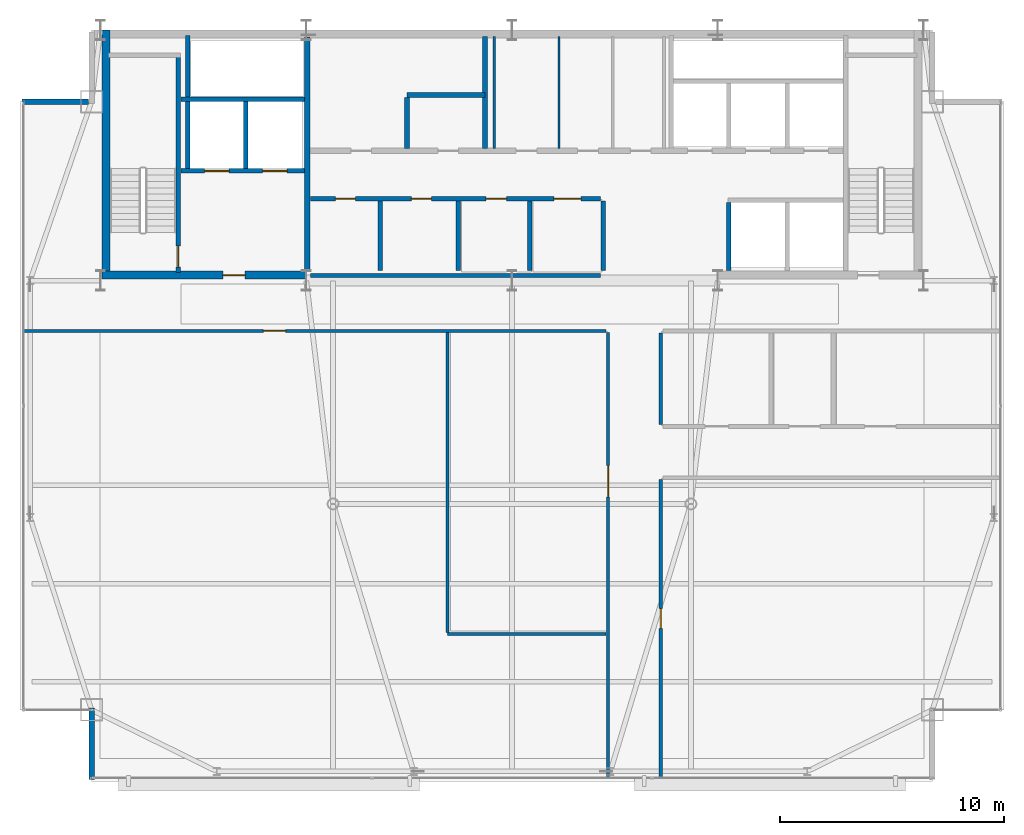
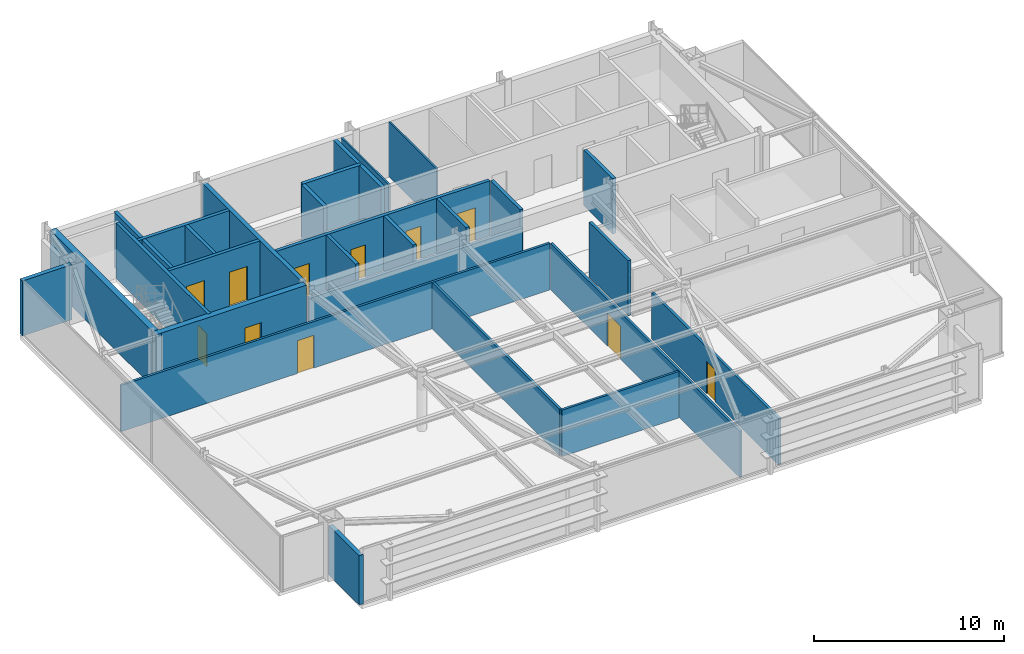
# One storey, part 21 of 24: 28 walls, 11 doors, 11 openings.
"""IFC4 building model written with IfcOpenShell, lengths in metres."""

from ifc_helpers import new_model, si_unit, direction, frame, frame_2d, origin, place, context, subcontext, project, spatial, rectangle, extrude, source, transform, mapped, material, layer, layer_set, type_object, type_shapes, element, fill, save


model = new_model("IFC4")

# Units and contexts
model_context = context("Model", 3, precision=1e-05, world=origin(), true_north=direction((0.0, 1.0)))
body_context = subcontext(model_context, "Body", "Model", "MODEL_VIEW")
ifc_project = project(units=[si_unit("LENGTHUNIT", "METRE"), si_unit("AREAUNIT", "SQUARE_METRE"), si_unit("VOLUMEUNIT", "CUBIC_METRE"), si_unit("PLANEANGLEUNIT", "RADIAN"), si_unit("MASSUNIT", "GRAM", prefix="KILO")], contexts=[model_context])

# Site, building, storey
site_placement = place(None, origin())
site = spatial("IfcSite", under=ifc_project, at=site_placement, CompositionType="ELEMENT")
building_placement = place(site_placement, origin())
building = spatial("IfcBuilding", under=site, at=building_placement, Name="Varnel Quay Broadcast Tower", CompositionType="ELEMENT")
storey_placement = place(building_placement, frame((0.0, 0.0, 269.800048828125)))
storey = spatial("IfcBuildingStorey", under=building, at=storey_placement, Name="L67", CompositionType="ELEMENT", Elevation=269.800048828125)

# Wall, opening, door
ifc_material_1 = material(Name="Concrete CSA A23.3 C50/60", Category="concrete")
ifc_layer_1 = layer(ifc_material_1, 0.199951171875, Name="Concrete CSA A23.3 C50/60")
ifc_layer_set_1 = layer_set([ifc_layer_1], Name="Concrete CSA A23.3 C50/60")
wall_type_1 = type_object("IfcWallType", Name="Wall_CoreShaftShear200", PredefinedType="SHEAR", material=ifc_layer_set_1)
wall_1_placement = place(storey_placement, frame((19.080078125, 35.949951171875, 0.0), z_axis=(0.0, 0.0, 1.0), x_axis=(0.0, 1.0, 0.0)))
wall_1 = element("IfcWall", 1, at=wall_1_placement, inside=storey, type_object=wall_type_1, Name="L67 Stair 1 East Structural Wall", PredefinedType="SHEAR", context=body_context, shape_type="SweptSolid", body=[
    extrude(rectangle(XDim=9.650146484375, YDim=0.199951171875, at=frame_2d((4.8251953125, 0.0))), origin(), (0.0, 0.0, 1.0), 3.550048828125),
])
opening_1_placement = place(wall_1_placement, frame((0.25, 0.0, 0.0)))
opening_1 = element("IfcOpeningElement", 2, at=opening_1_placement, cuts=wall_1, Name="Opening D-L67-S1", PredefinedType="OPENING", context=body_context, shape_type="SweptSolid", body=[
    extrude(rectangle(XDim=0.949951171875, YDim=2.10009765625, at=frame_2d((0.47509765625, 1.050048828125))), frame((0.0, 0.10986328125, 0.0), z_axis=(0.0, -1.0, 0.0), x_axis=(1.0, 0.0, 0.0)), (0.0, 0.0, 1.0), 0.219970703125),
])
ifc_material_2 = material(Name="Insulated Fire-Rated Hollow Steel Door", Category="steel")
door_type_1 = type_object("IfcDoorType", Name="Door_FireStair950", OperationType="NOTDEFINED", PredefinedType="DOOR", material=ifc_material_2)
shared_shape_1 = source(origin(), body_context, "Body", "SweptSolid", [
    extrude(rectangle(XDim=0.949951171875, YDim=2.10009765625, at=frame_2d((0.47509765625, 1.050048828125))), frame((0.0, 0.02490234375, 0.0), z_axis=(0.0, -1.0, 0.0), x_axis=(1.0, 0.0, 0.0)), (0.0, 0.0, 1.0), 0.050048828125),
])
type_shapes(door_type_1, [shared_shape_1])
door_1_placement = place(opening_1_placement, origin())
door_1 = element("IfcDoor", 3, at=door_1_placement, inside=storey, type_object=door_type_1, Name="L67 Stair 1 Fire Door", OperationType="SINGLE_SWING_RIGHT", OverallHeight=2.10009765625, OverallWidth=0.949951171875, PredefinedType="DOOR", context=body_context, shape_type="MappedRepresentation", body=[
    mapped(shared_shape_1, transform((0.0, 0.0, 0.0), x_axis=(1.0, 0.0, 0.0), y_axis=(0.0, 1.0, 0.0), z_axis=(0.0, 0.0, 1.0), scale=1.0)),
])
fill(opening_1, door_1)

# Wall, openings, doors
wall_2_placement = place(storey_placement, frame((19.199951171875, 40.5, 0.0), z_axis=(0.0, 0.0, 1.0), x_axis=(1.0, 0.0, 0.0)))
wall_2 = element("IfcWall", 4, at=wall_2_placement, inside=storey, type_object=wall_type_1, Name="L67 Firefighter Lift Shaft Front Wall", PredefinedType="SHEAR", context=body_context, shape_type="SweptSolid", body=[
    extrude(rectangle(XDim=5.52001953125, YDim=0.199951171875, at=frame_2d((2.760009765625, 0.0))), origin(), (0.0, 0.0, 1.0), 3.550048828125),
])
opening_2_placement = place(wall_2_placement, frame((1.050048828125, 0.0, 0.0)))
opening_2 = element("IfcOpeningElement", 5, at=opening_2_placement, cuts=wall_2, Name="Opening LD-L67-FE1", PredefinedType="OPENING", context=body_context, shape_type="SweptSolid", body=[
    extrude(rectangle(XDim=1.10009765625, YDim=2.179931640625, at=frame_2d((0.550048828125, 1.08984375))), frame((0.0, 0.10986328125, 0.0), z_axis=(0.0, -1.0, 0.0), x_axis=(1.0, 0.0, 0.0)), (0.0, 0.0, 1.0), 0.219970703125),
])
opening_3_placement = place(wall_2_placement, frame((3.64990234375, 0.0, 0.0)))
opening_3 = element("IfcOpeningElement", 6, at=opening_3_placement, cuts=wall_2, Name="Opening LD-L67-FE2", PredefinedType="OPENING", context=body_context, shape_type="SweptSolid", body=[
    extrude(rectangle(XDim=1.10009765625, YDim=2.179931640625, at=frame_2d((0.550048828125, 1.08984375))), frame((0.0, 0.10986328125, 0.0), z_axis=(0.0, -1.0, 0.0), x_axis=(1.0, 0.0, 0.0)), (0.0, 0.0, 1.0), 0.219970703125),
])
ifc_material_3 = material(Name="Brushed Bronze-Stainless Lift Car & Sliding Doors", Category="steel")
door_type_2 = type_object("IfcDoorType", Name="Door_LiftLanding1100", OperationType="SLIDING_TO_LEFT", PredefinedType="DOOR", material=ifc_material_3)
shared_shape_2 = source(origin(), body_context, "Body", "SweptSolid", [
    extrude(rectangle(XDim=1.10009765625, YDim=2.179931640625, at=frame_2d((0.550048828125, 1.08984375))), frame((0.0, 0.02490234375, 0.0), z_axis=(0.0, -1.0, 0.0), x_axis=(1.0, 0.0, 0.0)), (0.0, 0.0, 1.0), 0.050048828125),
])
type_shapes(door_type_2, [shared_shape_2])
door_2_placement = place(opening_2_placement, frame((1.10009765625, 0.0, 0.0), z_axis=(0.0, 0.0, 1.0), x_axis=(-1.0, 0.0, 0.0)))
door_2 = element("IfcDoor", 7, at=door_2_placement, inside=storey, type_object=door_type_2, Name="L67 Firefighter Lift FE-01 Landing Door", OperationType="SLIDING_TO_LEFT", OverallHeight=2.179931640625, OverallWidth=1.10009765625, PredefinedType="DOOR", context=body_context, shape_type="MappedRepresentation", body=[
    mapped(shared_shape_2, transform((0.0, 0.0, 0.0), x_axis=(1.0, 0.0, 0.0), y_axis=(0.0, 1.0, 0.0), z_axis=(0.0, 0.0, 1.0), scale=1.0)),
])
fill(opening_2, door_2)
door_3_placement = place(opening_3_placement, frame((1.10009765625, 0.0, 0.0), z_axis=(0.0, 0.0, 1.0), x_axis=(-1.0, 0.0, 0.0)))
door_3 = element("IfcDoor", 8, at=door_3_placement, inside=storey, type_object=door_type_2, Name="L67 Firefighter Lift FE-02 Landing Door", OperationType="SLIDING_TO_RIGHT", OverallHeight=2.179931640625, OverallWidth=1.10009765625, PredefinedType="DOOR", context=body_context, shape_type="MappedRepresentation", body=[
    mapped(shared_shape_2, transform((0.0, 0.0, 0.0), x_axis=(1.0, 0.0, 0.0), y_axis=(0.0, 1.0, 0.0), z_axis=(0.0, 0.0, 1.0), scale=1.0)),
])
fill(opening_3, door_3)

# Walls
wall_3_placement = place(storey_placement, frame((19.199951171875, 43.699951171875, 0.0), z_axis=(0.0, 0.0, 1.0), x_axis=(1.0, 0.0, 0.0)))
element("IfcWall", 9, at=wall_3_placement, inside=storey, type_object=wall_type_1, Name="L67 Firefighter Lift Shaft Rear Wall", PredefinedType="SHEAR", context=body_context, shape_type="SweptSolid", body=[
    extrude(rectangle(XDim=5.52001953125, YDim=0.199951171875, at=frame_2d((2.760009765625, 0.0))), origin(), (0.0, 0.0, 1.0), 3.550048828125),
])
wall_4_placement = place(storey_placement, frame((22.10009765625, 40.60009765625, 0.0), z_axis=(0.0, 0.0, 1.0), x_axis=(0.0, 1.0, 0.0)))
element("IfcWall", 10, at=wall_4_placement, inside=storey, type_object=wall_type_1, Name="L67 Firefighter Lift Shaft Divider", PredefinedType="SHEAR", context=body_context, shape_type="SweptSolid", body=[
    extrude(rectangle(XDim=3.0, YDim=0.199951171875, at=frame_2d((1.5, 0.0))), origin(), (0.0, 0.0, 1.0), 3.550048828125),
])
wall_5_placement = place(storey_placement, frame((19.5, 40.60009765625, 0.0), z_axis=(0.0, 0.0, 1.0), x_axis=(0.0, 1.0, 0.0)))
element("IfcWall", 11, at=wall_5_placement, inside=storey, type_object=wall_type_1, Name="L67 Firefighter Lift Shaft West Wall", PredefinedType="SHEAR", context=body_context, shape_type="SweptSolid", body=[
    extrude(rectangle(XDim=5.949951171875, YDim=0.199951171875, at=frame_2d((2.97509765625, 0.0))), origin(), (0.0, 0.0, 1.0), 3.550048828125),
])
wall_6_placement = place(storey_placement, frame((43.699951171875, 36.050048828125, 0.0), z_axis=(0.0, 0.0, 1.0), x_axis=(0.0, 1.0, 0.0)))
element("IfcWall", 12, at=wall_6_placement, inside=storey, type_object=wall_type_1, Name="L67 Express Lift Shaft West Wall", PredefinedType="SHEAR", context=body_context, shape_type="SweptSolid", body=[
    extrude(rectangle(XDim=3.050048828125, YDim=0.199951171875, at=frame_2d((1.52490234375, 0.0))), origin(), (0.0, 0.0, 1.0), 3.550048828125),
])
ifc_layer_2 = layer(ifc_material_1, 0.25, Name="Concrete CSA A23.3 C50/60")
ifc_layer_set_2 = layer_set([ifc_layer_2], Name="Concrete CSA A23.3 C50/60")
wall_type_2 = type_object("IfcWallType", Name="Wall_CoreShaftShear250", PredefinedType="SHEAR", material=ifc_layer_set_2)
wall_7_placement = place(storey_placement, frame((24.85009765625, 36.050048828125, 0.0), z_axis=(0.0, 0.0, 1.0), x_axis=(0.0, 1.0, 0.0)))
element("IfcWall", 13, at=wall_7_placement, inside=storey, type_object=wall_type_2, Name="L67 Firefighting Lobby East Structural Wall", PredefinedType="SHEAR", context=body_context, shape_type="SweptSolid", body=[
    extrude(rectangle(XDim=10.449951171875, YDim=0.25, at=frame_2d((5.22509765625, 0.0))), origin(), (0.0, 0.0, 1.0), 3.550048828125),
])
ifc_layer_3 = layer(ifc_material_1, 0.35009765625, Name="Concrete CSA A23.3 C50/60")
ifc_layer_set_3 = layer_set([ifc_layer_3], Name="Concrete CSA A23.3 C50/60")
wall_type_3 = type_object("IfcWallType", Name="Wall_CoreShearInt350", PredefinedType="SHEAR", material=ifc_layer_set_3)
wall_8_placement = place(storey_placement, frame((15.844970703125, 35.669921875, 0.0), z_axis=(0.0, 0.0, 1.0), x_axis=(0.0, 1.0, 0.0)))
element("IfcWall", 14, at=wall_8_placement, inside=storey, type_object=wall_type_3, Name="L67 West Core Shear Wall", PredefinedType="SHEAR", context=body_context, shape_type="SweptSolid", body=[
    extrude(rectangle(XDim=11.130126953125, YDim=0.35009765625, at=frame_2d((5.56494140625, 0.0))), origin(), (0.0, 0.0, 1.0), 3.550048828125),
])

# Wall, opening, door
wall_9_placement = place(storey_placement, frame((15.669921875, 35.844970703125, 0.0), z_axis=(0.0, 0.0, 1.0), x_axis=(1.0, 0.0, 0.0)))
wall_9 = element("IfcWall", 15, at=wall_9_placement, inside=storey, type_object=wall_type_3, Name="L67 South-West Core Shear Wall", PredefinedType="SHEAR", context=body_context, shape_type="SweptSolid", body=[
    extrude(rectangle(XDim=9.130126953125, YDim=0.35009765625, at=frame_2d((4.56494140625, 0.0))), origin(), (0.0, 0.0, 1.0), 3.550048828125),
])
opening_4_placement = place(wall_9_placement, frame((5.39990234375, 0.0, 0.0)))
opening_4 = element("IfcOpeningElement", 16, at=opening_4_placement, cuts=wall_9, Name="Opening D-L67-FFL", PredefinedType="OPENING", context=body_context, shape_type="SweptSolid", body=[
    extrude(rectangle(XDim=1.0, YDim=2.10009765625, at=frame_2d((0.5, 1.050048828125))), frame((0.0, 0.18505859375, 0.0), z_axis=(0.0, -1.0, 0.0), x_axis=(1.0, 0.0, 0.0)), (0.0, 0.0, 1.0), 0.3701171875),
])
door_type_3 = type_object("IfcDoorType", Name="Door_FireLobby1000", OperationType="NOTDEFINED", PredefinedType="DOOR", material=ifc_material_2)
shared_shape_3 = source(origin(), body_context, "Body", "SweptSolid", [
    extrude(rectangle(XDim=1.0, YDim=2.10009765625, at=frame_2d((0.5, 1.050048828125))), frame((0.0, 0.02490234375, 0.0), z_axis=(0.0, -1.0, 0.0), x_axis=(1.0, 0.0, 0.0)), (0.0, 0.0, 1.0), 0.050048828125),
])
type_shapes(door_type_3, [shared_shape_3])
door_4_placement = place(opening_4_placement, origin())
door_4 = element("IfcDoor", 17, at=door_4_placement, inside=storey, type_object=door_type_3, Name="L67 Firefighting Lobby Door", OperationType="SINGLE_SWING_LEFT", OverallHeight=2.10009765625, OverallWidth=1.0, PredefinedType="DOOR", context=body_context, shape_type="MappedRepresentation", body=[
    mapped(shared_shape_3, transform((0.0, 0.0, 0.0), x_axis=(1.0, 0.0, 0.0), y_axis=(0.0, 1.0, 0.0), z_axis=(0.0, 0.0, 1.0), scale=1.0)),
])
fill(opening_4, door_4)

# Walls
ifc_material_4 = material(Name="Precast Architectural Concrete C40/50", Category="concrete")
ifc_layer_4 = layer(ifc_material_4, 0.25, Name="Precast Architectural Concrete C40/50")
ifc_layer_set_4 = layer_set([ifc_layer_4], Name="Precast Architectural Concrete C40/50")
wall_type_4 = type_object("IfcWallType", Name="Wall_ExtTerrace250", PredefinedType="SOLIDWALL", material=ifc_layer_set_4)
wall_10_placement = place(storey_placement, frame((15.199951171875, 13.280029296875, 0.0), z_axis=(0.0, 0.0, 1.0), x_axis=(0.0, 1.0, 0.0)))
element("IfcWall", 18, at=wall_10_placement, inside=storey, type_object=wall_type_4, Name="L67 Mega-Column Notch Cladding Wall NSW2", PredefinedType="SOLIDWALL", context=body_context, shape_type="SweptSolid", body=[
    extrude(rectangle(XDim=3.199951171875, YDim=0.25, at=frame_2d((1.60009765625, 0.0))), origin(), (0.0, 0.0, 1.0), 3.1708984375),
])
wall_11_placement = place(storey_placement, frame((12.080078125, 43.60009765625, 0.0), z_axis=(0.0, 0.0, 1.0), x_axis=(1.0, 0.0, 0.0)))
element("IfcWall", 19, at=wall_11_placement, inside=storey, type_object=wall_type_4, Name="L67 Mega-Column Notch Cladding Wall NNW1", PredefinedType="SOLIDWALL", context=body_context, shape_type="SweptSolid", body=[
    extrude(rectangle(XDim=2.989990234375, YDim=0.25, at=frame_2d((1.4951171875, 0.0))), origin(), (0.0, 0.0, 1.0), 3.530029296875),
])
ifc_material_5 = material(Name="Concrete Blockwork Fire Enclosure C40/50", Category="masonry")
ifc_layer_5 = layer(ifc_material_5, 0.199951171875, Name="Concrete Blockwork Fire Enclosure C40/50")
ifc_layer_set_5 = layer_set([ifc_layer_5], Name="Concrete Blockwork Fire Enclosure C40/50")
wall_type_5 = type_object("IfcWallType", Name="Wall_FireShaft200", PredefinedType="SOLIDWALL", material=ifc_layer_set_5)
wall_12_placement = place(storey_placement, frame((25.0, 35.824951171875, 0.0), z_axis=(0.0, 0.0, 1.0), x_axis=(1.0, 0.0, 0.0)))
element("IfcWall", 20, at=wall_12_placement, inside=storey, type_object=wall_type_5, Name="L67 Accessible Universal Washroom Partition 1", PredefinedType="SOLIDWALL", context=body_context, shape_type="SweptSolid", body=[
    extrude(rectangle(XDim=12.949951171875, YDim=0.199951171875, at=frame_2d((6.47509765625, 0.0))), origin(), (0.0, 0.0, 1.0), 2.574951171875),
])

# Wall, openings, doors
wall_13_placement = place(storey_placement, frame((25.0, 39.25, 0.0), z_axis=(0.0, 0.0, 1.0), x_axis=(1.0, 0.0, 0.0)))
wall_13 = element("IfcWall", 21, at=wall_13_placement, inside=storey, type_object=wall_type_5, Name="L67 Accessible Universal Washroom Partition 3", PredefinedType="SOLIDWALL", context=body_context, shape_type="SweptSolid", body=[
    extrude(rectangle(XDim=12.949951171875, YDim=0.199951171875, at=frame_2d((6.47509765625, 0.0))), origin(), (0.0, 0.0, 1.0), 3.530029296875),
])
opening_5_placement = place(wall_13_placement, frame((1.10009765625, 0.0, 0.0)))
opening_5 = element("IfcOpeningElement", 22, at=opening_5_placement, cuts=wall_13, Name="Opening D-L67-01", PredefinedType="OPENING", context=body_context, shape_type="SweptSolid", body=[
    extrude(rectangle(XDim=0.89990234375, YDim=2.06005859375, at=frame_2d((0.449951171875, 1.030029296875))), frame((0.0, 0.10986328125, 0.0), z_axis=(0.0, -1.0, 0.0), x_axis=(1.0, 0.0, 0.0)), (0.0, 0.0, 1.0), 0.219970703125),
])
opening_6_placement = place(wall_13_placement, frame((4.5, 0.0, 0.0)))
opening_6 = element("IfcOpeningElement", 23, at=opening_6_placement, cuts=wall_13, Name="Opening D-L67-02", PredefinedType="OPENING", context=body_context, shape_type="SweptSolid", body=[
    extrude(rectangle(XDim=0.89990234375, YDim=2.06005859375, at=frame_2d((0.449951171875, 1.030029296875))), frame((0.0, 0.10986328125, 0.0), z_axis=(0.0, -1.0, 0.0), x_axis=(1.0, 0.0, 0.0)), (0.0, 0.0, 1.0), 0.219970703125),
])
opening_7_placement = place(wall_13_placement, frame((7.840087890625, 0.0, 0.0)))
opening_7 = element("IfcOpeningElement", 24, at=opening_7_placement, cuts=wall_13, Name="Opening D-L67-03", PredefinedType="OPENING", context=body_context, shape_type="SweptSolid", body=[
    extrude(rectangle(XDim=0.919921875, YDim=2.080078125, at=frame_2d((0.4599609375, 1.0400390625))), frame((0.0, 0.10986328125, 0.0), z_axis=(0.0, -1.0, 0.0), x_axis=(1.0, 0.0, 0.0)), (0.0, 0.0, 1.0), 0.219970703125),
])
opening_8_placement = place(wall_13_placement, frame((10.875, 0.0, 0.0)))
opening_8 = element("IfcOpeningElement", 25, at=opening_8_placement, cuts=wall_13, Name="Opening D-L67-04", PredefinedType="OPENING", context=body_context, shape_type="SweptSolid", body=[
    extrude(rectangle(XDim=1.199951171875, YDim=2.10009765625, at=frame_2d((0.60009765625, 1.050048828125))), frame((0.0, 0.10986328125, 0.0), z_axis=(0.0, -1.0, 0.0), x_axis=(1.0, 0.0, 0.0)), (0.0, 0.0, 1.0), 0.219970703125),
])
ifc_material_6 = material(Name="Solid-Core Fire-Rated Acoustic Oak Veneer Door", Category="wood")
door_type_4 = type_object("IfcDoorType", Name="Door_Washroom900", OperationType="NOTDEFINED", PredefinedType="DOOR", material=ifc_material_6)
shared_shape_4 = source(origin(), body_context, "Body", "SweptSolid", [
    extrude(rectangle(XDim=0.89990234375, YDim=2.06005859375, at=frame_2d((0.449951171875, 1.030029296875))), frame((0.0, 0.02490234375, 0.0), z_axis=(0.0, -1.0, 0.0), x_axis=(1.0, 0.0, 0.0)), (0.0, 0.0, 1.0), 0.050048828125),
])
type_shapes(door_type_4, [shared_shape_4])
door_5_placement = place(opening_5_placement, frame((0.89990234375, 0.0, 0.0), z_axis=(0.0, 0.0, 1.0), x_axis=(-1.0, 0.0, 0.0)))
door_5 = element("IfcDoor", 26, at=door_5_placement, inside=storey, type_object=door_type_4, Name="L67 Accessible Universal Washroom Door D-L67-01", OperationType="SINGLE_SWING_RIGHT", OverallHeight=2.06005859375, OverallWidth=0.89990234375, PredefinedType="DOOR", context=body_context, shape_type="MappedRepresentation", body=[
    mapped(shared_shape_4, transform((0.0, 0.0, 0.0), x_axis=(1.0, 0.0, 0.0), y_axis=(0.0, 1.0, 0.0), z_axis=(0.0, 0.0, 1.0), scale=1.0)),
])
fill(opening_5, door_5)
door_6_placement = place(opening_6_placement, frame((0.89990234375, 0.0, 0.0), z_axis=(0.0, 0.0, 1.0), x_axis=(-1.0, 0.0, 0.0)))
door_6 = element("IfcDoor", 27, at=door_6_placement, inside=storey, type_object=door_type_4, Name="L67 Staff Washroom Block Door D-L67-02", OperationType="SINGLE_SWING_LEFT", OverallHeight=2.06005859375, OverallWidth=0.89990234375, PredefinedType="DOOR", context=body_context, shape_type="MappedRepresentation", body=[
    mapped(shared_shape_4, transform((0.0, 0.0, 0.0), x_axis=(1.0, 0.0, 0.0), y_axis=(0.0, 1.0, 0.0), z_axis=(0.0, 0.0, 1.0), scale=1.0)),
])
fill(opening_6, door_6)
door_type_5 = type_object("IfcDoorType", Name="Door_Plant1200", OperationType="NOTDEFINED", PredefinedType="DOOR", material=ifc_material_2)
shared_shape_5 = source(origin(), body_context, "Body", "SweptSolid", [
    extrude(rectangle(XDim=1.199951171875, YDim=2.10009765625, at=frame_2d((0.60009765625, 1.050048828125))), frame((0.0, 0.02490234375, 0.0), z_axis=(0.0, -1.0, 0.0), x_axis=(1.0, 0.0, 0.0)), (0.0, 0.0, 1.0), 0.050048828125),
])
type_shapes(door_type_5, [shared_shape_5])
door_7_placement = place(opening_8_placement, origin())
door_7 = element("IfcDoor", 28, at=door_7_placement, inside=storey, type_object=door_type_5, Name="L67 Zone Lighting Dimmer Room Door D-L67-04", OperationType="SINGLE_SWING_LEFT", OverallHeight=2.10009765625, OverallWidth=1.199951171875, PredefinedType="DOOR", context=body_context, shape_type="MappedRepresentation", body=[
    mapped(shared_shape_5, transform((0.0, 0.0, 0.0), x_axis=(1.0, 0.0, 0.0), y_axis=(0.0, 1.0, 0.0), z_axis=(0.0, 0.0, 1.0), scale=1.0)),
])
fill(opening_8, door_7)
door_type_6 = type_object("IfcDoorType", Name="Door_Office920", OperationType="NOTDEFINED", PredefinedType="DOOR", material=ifc_material_6)
shared_shape_6 = source(origin(), body_context, "Body", "SweptSolid", [
    extrude(rectangle(XDim=0.919921875, YDim=2.080078125, at=frame_2d((0.4599609375, 1.0400390625))), frame((0.0, 0.02490234375, 0.0), z_axis=(0.0, -1.0, 0.0), x_axis=(1.0, 0.0, 0.0)), (0.0, 0.0, 1.0), 0.050048828125),
])
type_shapes(door_type_6, [shared_shape_6])
door_8_placement = place(opening_7_placement, frame((0.919921875, 0.0, 0.0), z_axis=(0.0, 0.0, 1.0), x_axis=(-1.0, 0.0, 0.0)))
door_8 = element("IfcDoor", 29, at=door_8_placement, inside=storey, type_object=door_type_6, Name="L67 Broadcast First-Aid & Quiet Room Door D-L67-03", OperationType="SINGLE_SWING_RIGHT", OverallHeight=2.080078125, OverallWidth=0.919921875, PredefinedType="DOOR", context=body_context, shape_type="MappedRepresentation", body=[
    mapped(shared_shape_6, transform((0.0, 0.0, 0.0), x_axis=(1.0, 0.0, 0.0), y_axis=(0.0, 1.0, 0.0), z_axis=(0.0, 0.0, 1.0), scale=1.0)),
])
fill(opening_7, door_8)

# Walls
for number, where, z_axis, x_axis, name in (
    (30, (34.800048828125, 36.050048828125, 0.0), (0.0, 0.0, 1.0), (0.0, 1.0, 0.0), "L67 Broadcast First-Aid & Quiet Room Partition 5"),
    (31, (38.074951171875, 36.050048828125, 0.0), (0.0, 0.0, 1.0), (0.0, 1.0, 0.0), "L67 Zone Lighting Dimmer Room Partition 6"),
):
    element("IfcWall", number, at=place(storey_placement, frame(where, z_axis=z_axis, x_axis=x_axis)), inside=storey, type_object=wall_type_5, Name=name, PredefinedType="SOLIDWALL", context=body_context, shape_type="SweptSolid", body=[
        extrude(rectangle(XDim=3.099853515625, YDim=0.199951171875, at=frame_2d((1.5498046875, 0.0))), origin(), (0.0, 0.0, 1.0), 3.530029296875),
    ])
ifc_material_7 = material(Name="Steel-Stud Fire-Rated Acoustic Gypsum Partition Assembly", Category="steel")
ifc_layer_6 = layer(ifc_material_7, 0.10498046875, Name="Steel-Stud Fire-Rated Acoustic Gypsum Partition Assembly")
ifc_layer_set_6 = layer_set([ifc_layer_6], Name="Steel-Stud Fire-Rated Acoustic Gypsum Partition Assembly")
wall_type_6 = type_object("IfcWallType", Name="Wall_Partition105", PredefinedType="PARTITIONING", material=ifc_layer_set_6)
for number, where, z_axis, x_axis, name in (
    (32, (36.10009765625, 41.5, 0.0), (0.0, 0.0, 1.0), (0.0, 1.0, 0.0), "L67 Audio Patch Closet Partition 21"),
    (33, (33.199951171875, 41.5, 0.0), (0.0, 0.0, 1.0), (0.0, 1.0, 0.0), "L67 Audio Patch Closet Partition 22"),
):
    element("IfcWall", number, at=place(storey_placement, frame(where, z_axis=z_axis, x_axis=x_axis)), inside=storey, type_object=wall_type_6, Name=name, PredefinedType="PARTITIONING", context=body_context, shape_type="SweptSolid", body=[
        extrude(rectangle(XDim=5.02001953125, YDim=0.10498046875, at=frame_2d((2.510009765625, 0.0))), origin(), (0.0, 0.0, 1.0), 3.530029296875),
    ])

# Wall, opening, door
ifc_layer_7 = layer(ifc_material_7, 0.139892578125, Name="Steel-Stud Fire-Rated Acoustic Gypsum Partition Assembly")
ifc_layer_set_7 = layer_set([ifc_layer_7], Name="Steel-Stud Fire-Rated Acoustic Gypsum Partition Assembly")
wall_type_7 = type_object("IfcWallType", Name="Wall_Partition140", PredefinedType="PARTITIONING", material=ifc_layer_set_7)
wall_14_placement = place(storey_placement, frame((38.300048828125, 13.3798828125, 0.0), z_axis=(0.0, 0.0, 1.0), x_axis=(0.0, 1.0, 0.0)))
wall_14 = element("IfcWall", 34, at=wall_14_placement, inside=storey, type_object=wall_type_7, Name="L67 Talent Lounge 1 Partition 7", PredefinedType="PARTITIONING", context=body_context, shape_type="SweptSolid", body=[
    extrude(rectangle(XDim=19.900146484375, YDim=0.139892578125, at=frame_2d((9.9501953125, 0.0))), origin(), (0.0, 0.0, 1.0), 2.98095703125),
])
opening_9_placement = place(wall_14_placement, frame((12.544921875, 0.0, 0.0)))
opening_9 = element("IfcOpeningElement", 35, at=opening_9_placement, cuts=wall_14, Name="Opening D-L67-06", PredefinedType="OPENING", context=body_context, shape_type="SweptSolid", body=[
    extrude(rectangle(XDim=1.39990234375, YDim=2.1201171875, at=frame_2d((0.699951171875, 1.06005859375))), frame((0.0, 0.080078125, 0.0), z_axis=(0.0, -1.0, 0.0), x_axis=(1.0, 0.0, 0.0)), (0.0, 0.0, 1.0), 0.159912109375),
])
door_type_7 = type_object("IfcDoorType", Name="Door_Gallery1400", OperationType="DOUBLE_DOOR_SINGLE_SWING", PredefinedType="DOOR", material=ifc_material_6)
shared_shape_7 = source(origin(), body_context, "Body", "SweptSolid", [
    extrude(rectangle(XDim=1.39990234375, YDim=2.1201171875, at=frame_2d((0.699951171875, 1.06005859375))), frame((0.0, 0.02490234375, 0.0), z_axis=(0.0, -1.0, 0.0), x_axis=(1.0, 0.0, 0.0)), (0.0, 0.0, 1.0), 0.050048828125),
])
type_shapes(door_type_7, [shared_shape_7])
door_9_placement = place(opening_9_placement, origin())
door_9 = element("IfcDoor", 36, at=door_9_placement, inside=storey, type_object=door_type_7, Name="L67 Foley Sound Studio 2 Door D-L67-06", OperationType="DOUBLE_DOOR_SINGLE_SWING", OverallHeight=2.1201171875, OverallWidth=1.39990234375, PredefinedType="DOOR", context=body_context, shape_type="MappedRepresentation", body=[
    mapped(shared_shape_7, transform((0.0, 0.0, 0.0), x_axis=(1.0, 0.0, 0.0), y_axis=(0.0, 1.0, 0.0), z_axis=(0.0, 0.0, 1.0), scale=1.0)),
])
fill(opening_9, door_9)

# Walls
wall_15_placement = place(storey_placement, frame((31.110107421875, 19.800048828125, 0.0), z_axis=(0.0, 0.0, 1.0), x_axis=(1.0, 0.0, 0.0)))
element("IfcWall", 37, at=wall_15_placement, inside=storey, type_object=wall_type_7, Name="L67 Talent Lounge 1 Partition 8", PredefinedType="PARTITIONING", context=body_context, shape_type="SweptSolid", body=[
    extrude(rectangle(XDim=7.08984375, YDim=0.139892578125, at=frame_2d((3.544921875, 0.0))), origin(), (0.0, 0.0, 1.0), 2.98095703125),
])
wall_16_placement = place(storey_placement, frame((31.110107421875, 19.8701171875, 0.0), z_axis=(0.0, 0.0, 1.0), x_axis=(0.0, 1.0, 0.0)))
element("IfcWall", 38, at=wall_16_placement, inside=storey, type_object=wall_type_7, Name="L67 Talent Lounge 1 Partition 9", PredefinedType="PARTITIONING", context=body_context, shape_type="SweptSolid", body=[
    extrude(rectangle(XDim=13.409912109375, YDim=0.139892578125, at=frame_2d((6.705078125, 0.0))), origin(), (0.0, 0.0, 1.0), 2.98095703125),
])

# Wall, opening, door
wall_17_placement = place(storey_placement, frame((12.179931640625, 33.35009765625, 0.0), z_axis=(0.0, 0.0, 1.0), x_axis=(1.0, 0.0, 0.0)))
wall_17 = element("IfcWall", 39, at=wall_17_placement, inside=storey, type_object=wall_type_7, Name="L67 Talent Lounge 1 Partition 10", PredefinedType="PARTITIONING", context=body_context, shape_type="SweptSolid", body=[
    extrude(rectangle(XDim=26.02001953125, YDim=0.139892578125, at=frame_2d((13.010009765625, 0.0))), origin(), (0.0, 0.0, 1.0), 2.98095703125),
])
opening_10_placement = place(wall_17_placement, frame((10.699951171875, 0.0, 0.0)))
opening_10 = element("IfcOpeningElement", 40, at=opening_10_placement, cuts=wall_17, Name="Opening D-L67-05", PredefinedType="OPENING", context=body_context, shape_type="SweptSolid", body=[
    extrude(rectangle(XDim=1.0, YDim=2.10009765625, at=frame_2d((0.5, 1.050048828125))), frame((0.0, 0.080078125, 0.0), z_axis=(0.0, -1.0, 0.0), x_axis=(1.0, 0.0, 0.0)), (0.0, 0.0, 1.0), 0.159912109375),
])
door_type_8 = type_object("IfcDoorType", Name="Door_Exec1000", OperationType="NOTDEFINED", PredefinedType="DOOR", material=ifc_material_6)
shared_shape_8 = source(origin(), body_context, "Body", "SweptSolid", [
    extrude(rectangle(XDim=1.0, YDim=2.10009765625, at=frame_2d((0.5, 1.050048828125))), frame((0.0, 0.02490234375, 0.0), z_axis=(0.0, -1.0, 0.0), x_axis=(1.0, 0.0, 0.0)), (0.0, 0.0, 1.0), 0.050048828125),
])
type_shapes(door_type_8, [shared_shape_8])
door_10_placement = place(opening_10_placement, frame((1.0, 0.0, 0.0), z_axis=(0.0, 0.0, 1.0), x_axis=(-1.0, 0.0, 0.0)))
door_10 = element("IfcDoor", 41, at=door_10_placement, inside=storey, type_object=door_type_8, Name="L67 Talent Lounge 1 Door D-L67-05", OperationType="SINGLE_SWING_RIGHT", OverallHeight=2.10009765625, OverallWidth=1.0, PredefinedType="DOOR", context=body_context, shape_type="MappedRepresentation", body=[
    mapped(shared_shape_8, transform((0.0, 0.0, 0.0), x_axis=(1.0, 0.0, 0.0), y_axis=(0.0, 1.0, 0.0), z_axis=(0.0, 0.0, 1.0), scale=1.0)),
])
fill(opening_10, door_10)

ifc_layer_8 = layer(ifc_material_7, 0.14990234375, Name="Steel-Stud Fire-Rated Acoustic Gypsum Partition Assembly")
ifc_layer_set_8 = layer_set([ifc_layer_8], Name="Steel-Stud Fire-Rated Acoustic Gypsum Partition Assembly")
wall_type_8 = type_object("IfcWallType", Name="Wall_Partition150", PredefinedType="PARTITIONING", material=ifc_layer_set_8)
wall_18_placement = place(storey_placement, frame((40.64990234375, 13.3798828125, 0.0), z_axis=(0.0, 0.0, 1.0), x_axis=(0.0, 1.0, 0.0)))
wall_18 = element("IfcWall", 42, at=wall_18_placement, inside=storey, type_object=wall_type_8, Name="L67 Pantry Niche 3 Partition 12", PredefinedType="PARTITIONING", context=body_context, shape_type="SweptSolid", body=[
    extrude(rectangle(XDim=13.3251953125, YDim=0.14990234375, at=frame_2d((6.66259765625, 0.0))), origin(), (0.0, 0.0, 1.0), 2.98095703125),
])
opening_11_placement = place(wall_18_placement, frame((6.6650390625, 0.0, 0.0)))
opening_11 = element("IfcOpeningElement", 43, at=opening_11_placement, cuts=wall_18, Name="Opening D-L67-07", PredefinedType="OPENING", context=body_context, shape_type="SweptSolid", body=[
    extrude(rectangle(XDim=0.8798828125, YDim=2.06005859375, at=frame_2d((0.43994140625, 1.030029296875))), frame((0.0, 0.0849609375, 0.0), z_axis=(0.0, -1.0, 0.0), x_axis=(1.0, 0.0, 0.0)), (0.0, 0.0, 1.0), 0.169921875),
])
door_type_9 = type_object("IfcDoorType", Name="Door_Booth880", OperationType="NOTDEFINED", PredefinedType="DOOR", material=ifc_material_6)
shared_shape_9 = source(origin(), body_context, "Body", "SweptSolid", [
    extrude(rectangle(XDim=0.8798828125, YDim=2.06005859375, at=frame_2d((0.43994140625, 1.030029296875))), frame((0.0, 0.02490234375, 0.0), z_axis=(0.0, -1.0, 0.0), x_axis=(1.0, 0.0, 0.0)), (0.0, 0.0, 1.0), 0.050048828125),
])
type_shapes(door_type_9, [shared_shape_9])
door_11_placement = place(opening_11_placement, frame((0.8798828125, 0.0, 0.0), z_axis=(0.0, 0.0, 1.0), x_axis=(-1.0, 0.0, 0.0)))
door_11 = element("IfcDoor", 44, at=door_11_placement, inside=storey, type_object=door_type_9, Name="L67 Pantry Niche 3 Door D-L67-07", OperationType="SINGLE_SWING_LEFT", OverallHeight=2.06005859375, OverallWidth=0.8798828125, PredefinedType="DOOR", context=body_context, shape_type="MappedRepresentation", body=[
    mapped(shared_shape_9, transform((0.0, 0.0, 0.0), x_axis=(1.0, 0.0, 0.0), y_axis=(0.0, 1.0, 0.0), z_axis=(0.0, 0.0, 1.0), scale=1.0)),
])
fill(opening_11, door_11)

# Walls
ifc_layer_9 = layer(ifc_material_7, 0.175048828125, Name="Steel-Stud Fire-Rated Acoustic Gypsum Partition Assembly")
ifc_layer_set_9 = layer_set([ifc_layer_9], Name="Steel-Stud Fire-Rated Acoustic Gypsum Partition Assembly")
wall_type_9 = type_object("IfcWallType", Name="Wall_Partition175", PredefinedType="PARTITIONING", material=ifc_layer_set_9)
wall_19_placement = place(storey_placement, frame((40.64990234375, 29.1669921875, 0.0), z_axis=(0.0, 0.0, 1.0), x_axis=(0.0, 1.0, 0.0)))
element("IfcWall", 45, at=wall_19_placement, inside=storey, type_object=wall_type_9, Name="L67 Broadcast Seminar Room 4 Partition 16", PredefinedType="PARTITIONING", context=body_context, shape_type="SweptSolid", body=[
    extrude(rectangle(XDim=4.095947265625, YDim=0.175048828125, at=frame_2d((2.0478515625, 0.0))), origin(), (0.0, 0.0, 1.0), 3.530029296875),
])
ifc_layer_10 = layer(ifc_material_7, 0.22509765625, Name="Steel-Stud Fire-Rated Acoustic Gypsum Partition Assembly")
ifc_layer_set_10 = layer_set([ifc_layer_10], Name="Steel-Stud Fire-Rated Acoustic Gypsum Partition Assembly")
wall_type_10 = type_object("IfcWallType", Name="Wall_Partition225", PredefinedType="PARTITIONING", material=ifc_layer_set_10)
wall_20_placement = place(storey_placement, frame((29.300048828125, 41.5, 0.0), z_axis=(0.0, 0.0, 1.0), x_axis=(0.0, 1.0, 0.0)))
element("IfcWall", 46, at=wall_20_placement, inside=storey, type_object=wall_type_10, Name="L67 Signal Routing Suite Partition 18", PredefinedType="PARTITIONING", context=body_context, shape_type="SweptSolid", body=[
    extrude(rectangle(XDim=2.2880859375, YDim=0.22509765625, at=frame_2d((1.14404296875, 0.0))), origin(), (0.0, 0.0, 1.0), 3.530029296875),
])
wall_21_placement = place(storey_placement, frame((29.300048828125, 43.89990234375, 0.0), z_axis=(0.0, 0.0, 1.0), x_axis=(1.0, 0.0, 0.0)))
element("IfcWall", 47, at=wall_21_placement, inside=storey, type_object=wall_type_10, Name="L67 Signal Routing Suite Partition 19", PredefinedType="PARTITIONING", context=body_context, shape_type="SweptSolid", body=[
    extrude(rectangle(XDim=3.5, YDim=0.22509765625, at=frame_2d((1.75, 0.0))), origin(), (0.0, 0.0, 1.0), 3.530029296875),
])
wall_22_placement = place(storey_placement, frame((32.800048828125, 41.5, 0.0), z_axis=(0.0, 0.0, 1.0), x_axis=(0.0, 1.0, 0.0)))
element("IfcWall", 48, at=wall_22_placement, inside=storey, type_object=wall_type_10, Name="L67 Signal Routing Suite Partition 20", PredefinedType="PARTITIONING", context=body_context, shape_type="SweptSolid", body=[
    extrude(rectangle(XDim=5.02001953125, YDim=0.22509765625, at=frame_2d((2.510009765625, 0.0))), origin(), (0.0, 0.0, 1.0), 3.530029296875),
])
ifc_material_8 = material(Name="Fire-Rated Moisture-Resistant Plumbing Chase Partition")
ifc_layer_11 = layer(ifc_material_8, 0.199951171875, Name="Fire-Rated Moisture-Resistant Plumbing Chase Partition")
ifc_layer_set_11 = layer_set([ifc_layer_11], Name="Fire-Rated Moisture-Resistant Plumbing Chase Partition")
wall_type_11 = type_object("IfcWallType", Name="Wall_Plumbing200", PredefinedType="PLUMBINGWALL", material=ifc_layer_set_11)
for number, where, z_axis, x_axis, name in (
    (49, (28.10009765625, 36.050048828125, 0.0), (0.0, 0.0, 1.0), (0.0, 1.0, 0.0), "L67 Accessible Universal Washroom Partition 2"),
    (50, (31.60009765625, 36.050048828125, 0.0), (0.0, 0.0, 1.0), (0.0, 1.0, 0.0), "L67 Staff Washroom Block Partition 4"),
):
    element("IfcWall", number, at=place(storey_placement, frame(where, z_axis=z_axis, x_axis=x_axis)), inside=storey, type_object=wall_type_11, Name=name, PredefinedType="PLUMBINGWALL", context=body_context, shape_type="SweptSolid", body=[
        extrude(rectangle(XDim=3.099853515625, YDim=0.199951171875, at=frame_2d((1.5498046875, 0.0))), origin(), (0.0, 0.0, 1.0), 3.530029296875),
    ])

save(model, "model.ifc")
